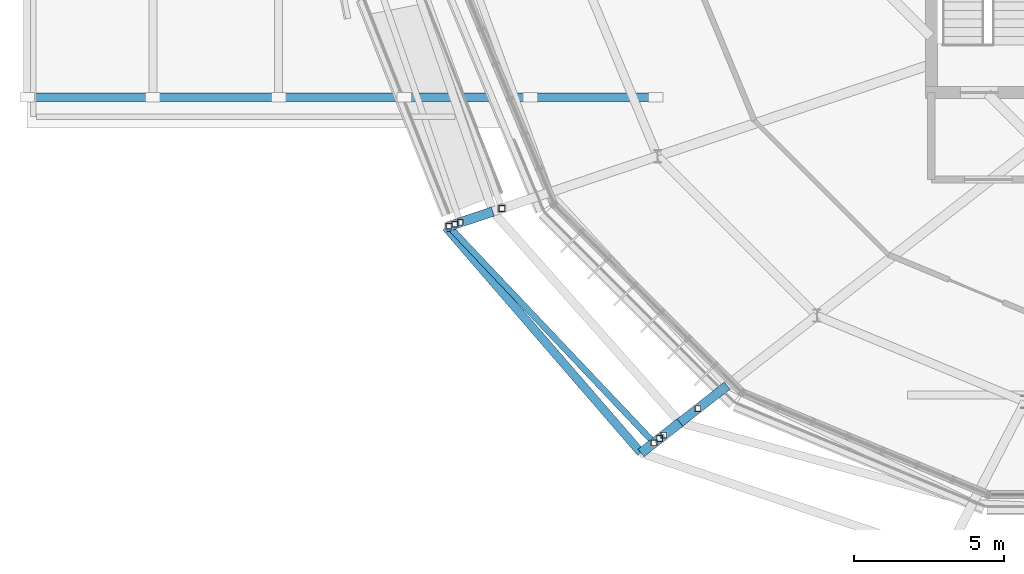
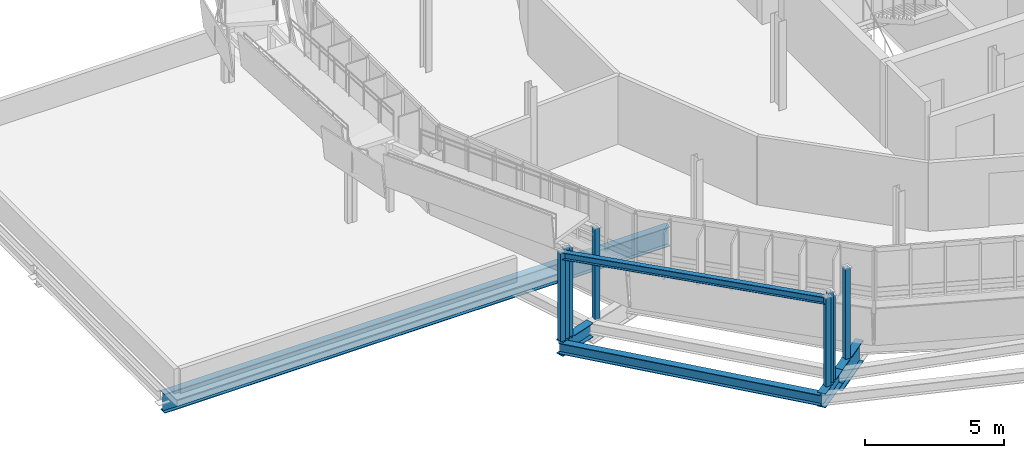
# One storey, part 8 of 61: 8 members, 6 beams.
"""IFC4 building model written with IfcOpenShell, lengths in metres."""

import ifcopenshell
import ifcopenshell.guid

model = None  # the IFC model being written
_history = None  # IfcOwnerHistory: only IFC2X3 demands one
_inside = {}  # id of a spatial element -> (the spatial element, [elements in it])
_under = {}  # id of a project, library or spatial element -> (it, [spatial elements below it])
_declared = {}  # id of a project -> (the project, [libraries it declares])
_typed = {}  # id of a type object -> (the type object, [elements of that type])
_made_of = {}  # id of a material, layer set ... -> (it, [elements and type objects made of it])


def new_model(schema):
    """Start an empty IFC model of exactly this schema.

    Asked for "IFC4X3", IfcOpenShell would pick the latest addendum, in which some entities
    have other attributes; the version numbers below select the first issue.
    IFC2X3 requires an IfcOwnerHistory on every rooted entity: one is made here for all.
    """
    global model, _history
    if schema == "IFC4X3":
        model = ifcopenshell.file(schema_version=(4, 3, 0, 0))
    else:
        model = ifcopenshell.file(schema=schema)
    _inside.clear()
    _under.clear()
    _declared.clear()
    _typed.clear()
    _made_of.clear()
    _history = None
    if model.schema == "IFC2X3":
        org = make("IfcOrganization", Name="unknown")
        user = make(
            "IfcPersonAndOrganization",
            ThePerson=make("IfcPerson", FamilyName="unknown"),
            TheOrganization=org,
        )
        app = make(
            "IfcApplication",
            ApplicationDeveloper=org,
            Version="unknown",
            ApplicationFullName="unknown",
            ApplicationIdentifier="unknown",
        )
        _history = make(
            "IfcOwnerHistory",
            OwningUser=user,
            OwningApplication=app,
            ChangeAction="ADDED",
            CreationDate=0,
        )
    return model


def make(cls, **values):
    """One entity of the class cls with the attributes given. An attribute that is None is left unset."""
    return model.create_entity(
        cls, **{name: value for name, value in values.items() if value is not None}
    )


def rooted(cls, **values):
    """An entity with a GlobalId (a new one), such as an element, a storey or a relation."""
    return make(cls, GlobalId=ifcopenshell.guid.new(), OwnerHistory=_history, **values)


def si_unit(unit_type, name, prefix=None):
    """IfcSIUnit, for example si_unit("LENGTHUNIT", "METRE", prefix="MILLI")."""
    return make("IfcSIUnit", UnitType=unit_type, Prefix=prefix, Name=name)


def derived_unit(unit_type, elements):
    """IfcDerivedUnit: a product of units, each with its exponent."""
    return make(
        "IfcDerivedUnit",
        Elements=[
            make("IfcDerivedUnitElement", Unit=unit, Exponent=power)
            for unit, power in elements
        ],
        UnitType=unit_type,
    )


def assignment(units):
    """IfcUnitAssignment: the units of a project."""
    return None if units is None else make("IfcUnitAssignment", Units=units)


def point(xyz):
    """IfcCartesianPoint."""
    return None if xyz is None else make("IfcCartesianPoint", Coordinates=xyz)


def direction(xyz):
    """IfcDirection."""
    return None if xyz is None else make("IfcDirection", DirectionRatios=xyz)


def frame(location, z_axis=None, x_axis=None):
    """IfcAxis2Placement3D, a coordinate frame: its origin and axes. An axis left out is left unset."""
    return make(
        "IfcAxis2Placement3D",
        Location=point(location),
        Axis=direction(z_axis),
        RefDirection=direction(x_axis),
    )


def frame_2d(location, x_axis=None):
    """IfcAxis2Placement2D, a coordinate frame in the plane: its origin and x axis."""
    return make(
        "IfcAxis2Placement2D", Location=point(location), RefDirection=direction(x_axis)
    )


def origin():
    """The frame at (0, 0, 0) with its axes left unset."""
    return frame((0.0, 0.0, 0.0))


def origin_2d():
    """The frame at (0, 0) in the plane with its x axis left unset."""
    return frame_2d((0.0, 0.0))


def place(relative_to, where):
    """IfcLocalPlacement: puts the frame where relative to a parent placement (None: the world)."""
    return make(
        "IfcLocalPlacement", PlacementRelTo=relative_to, RelativePlacement=where
    )


def context(
    kind, dimensions, precision=None, world=None, true_north=None, identifier=None
):
    """IfcGeometricRepresentationContext, for example the 3D "Model" context."""
    return make(
        "IfcGeometricRepresentationContext",
        ContextIdentifier=identifier,
        ContextType=kind,
        CoordinateSpaceDimension=dimensions,
        Precision=precision,
        WorldCoordinateSystem=world,
        TrueNorth=true_north,
    )


def subcontext(parent, identifier, kind, view, scale=None):
    """IfcGeometricRepresentationSubContext, for example "Body" below "Model"."""
    return make(
        "IfcGeometricRepresentationSubContext",
        ContextIdentifier=identifier,
        ContextType=kind,
        ParentContext=parent,
        TargetScale=scale,
        TargetView=view,
    )


def project(units=None, contexts=None):
    """IfcProject with its units and contexts."""
    return rooted(
        "IfcProject",
        Name="project",
        RepresentationContexts=contexts,
        UnitsInContext=assignment(units),
    )


def spatial(cls, under=None, at=None, **own):
    """A site, building, storey or space (cls), placed at a placement, below another one or the project."""
    s = rooted(cls, ObjectPlacement=at, **own)
    if under is not None:
        _under.setdefault(under.id(), (under, []))[1].append(s)
    return s


def profile(cls, at=None, kind="AREA", **sizes):
    """A parametric profile (cls). Its sizes go by their IFC names, for example OverallWidth=200.0."""
    return make(cls, ProfileType=kind, Position=at, **sizes)


def hollow_rectangle(**sizes):
    """IfcRectangleHollowProfileDef."""
    return profile("IfcRectangleHollowProfileDef", **sizes)


def i_section(**sizes):
    """IfcIShapeProfileDef."""
    return profile("IfcIShapeProfileDef", **sizes)


def extrude(swept, where, along, depth):
    """IfcExtrudedAreaSolid: the profile swept, set in the frame where, extruded along a direction by depth."""
    return make(
        "IfcExtrudedAreaSolid",
        SweptArea=swept,
        Position=where,
        ExtrudedDirection=direction(along),
        Depth=depth,
    )


def shape(context_of_items, identifier, shape_type, items):
    """IfcShapeRepresentation: the items that make up one representation, for example the "Body"."""
    return make(
        "IfcShapeRepresentation",
        ContextOfItems=context_of_items,
        RepresentationIdentifier=identifier,
        RepresentationType=shape_type,
        Items=items,
    )


def material(Name=None, Category=None):
    """IfcMaterial."""
    return make("IfcMaterial", Name=Name, Category=Category)


def material_profile(
    of_material, cross_section, Name=None, Category=None, Priority=None
):
    """IfcMaterialProfile: a cross section and its material."""
    return make(
        "IfcMaterialProfile",
        Name=Name,
        Material=of_material,
        Profile=cross_section,
        Priority=Priority,
        Category=Category,
    )


def profile_set(profiles, Name=None, composite=None):
    """IfcMaterialProfileSet."""
    return make(
        "IfcMaterialProfileSet",
        Name=Name,
        MaterialProfiles=profiles,
        CompositeProfile=composite,
    )


def made_of(thing, what):
    """Note that an element or type object is made of a material, layer set ...; save() writes the relation."""
    if what is not None:
        _made_of.setdefault(what.id(), (what, []))[1].append(thing)
    return thing


def type_object(cls, material=None, **own):
    """A type object (cls), such as IfcWallType, which elements share."""
    return made_of(rooted(cls, **own), material)


def element(
    cls,
    number,
    at=None,
    inside=None,
    cuts=None,
    type_object=None,
    material=None,
    context=None,
    identifier="Body",
    shape_type=None,
    held_by="IfcProductDefinitionShape",
    body=None,
    shapes=None,
    **own,
):
    """One element of the class cls, such as IfcWall. Its Tag is "e" and its number.

    at: its placement. inside: the storey or other place that contains it. cuts: it is an
    opening in that element (IfcRelVoidsElement). A single representation is given by context,
    identifier, shape_type and body (its items); several are given by shapes. held_by: the class
    of the entity that holds the representations. save() writes the other relations.
    """
    e = rooted(cls, Tag="e%d" % number, ObjectPlacement=at, **own)
    if body is not None:
        shapes = [shape(context, identifier, shape_type, body)]
    if shapes is not None:
        e.Representation = make(held_by, Representations=shapes)
    if inside is not None:
        _inside.setdefault(inside.id(), (inside, []))[1].append(e)
    if cuts is not None:
        rooted(
            "IfcRelVoidsElement", RelatingBuildingElement=cuts, RelatedOpeningElement=e
        )
    if type_object is not None:
        _typed.setdefault(type_object.id(), (type_object, []))[1].append(e)
    return made_of(e, material)


def aggregate(whole, parts):
    """IfcRelAggregates: a whole, such as a stair, and the parts it consists of."""
    return rooted("IfcRelAggregates", RelatingObject=whole, RelatedObjects=parts)


def save(model, path):
    """Write the relations noted so far, then the file.

    IfcRelAggregates (storeys below a building ...), IfcRelContainedInSpatialStructure (elements
    in a storey), IfcRelDefinesByType, IfcRelAssociatesMaterial and IfcRelDeclares: one each for
    every whole, place, type object, material and project.
    """
    for whole, parts in _under.values():
        aggregate(whole, parts)
    for where, things in _inside.values():
        rooted(
            "IfcRelContainedInSpatialStructure",
            RelatedElements=things,
            RelatingStructure=where,
        )
    for kind, things in _typed.values():
        rooted("IfcRelDefinesByType", RelatedObjects=things, RelatingType=kind)
    for what, things in _made_of.values():
        rooted("IfcRelAssociatesMaterial", RelatedObjects=things, RelatingMaterial=what)
    for by, libraries in _declared.values():
        rooted("IfcRelDeclares", RelatingContext=by, RelatedDefinitions=libraries)
    model.write(path)


model = new_model("IFC4")

# Units and contexts
model_context = context("Model", 3, precision=1e-05, world=origin(), true_north=direction((0.0, 1.0)))
body_context = subcontext(model_context, "Body", "Model", "MODEL_VIEW")
ifc_project = project(units=[si_unit("LENGTHUNIT", "METRE"), si_unit("AREAUNIT", "SQUARE_METRE"), si_unit("VOLUMEUNIT", "CUBIC_METRE"), si_unit("PLANEANGLEUNIT", "RADIAN"), si_unit("MASSUNIT", "GRAM", prefix="KILO"), derived_unit("THERMALTRANSMITTANCEUNIT", [(si_unit("MASSUNIT", "GRAM", prefix="KILO"), 1), (si_unit("TIMEUNIT", "SECOND"), -3), (si_unit("THERMODYNAMICTEMPERATUREUNIT", "KELVIN"), -1)])], contexts=[model_context])

# Site, building, storey
site_placement = place(None, origin())
site = spatial("IfcSite", under=ifc_project, at=site_placement, CompositionType="ELEMENT")
building_placement = place(site_placement, origin())
building = spatial("IfcBuilding", under=site, at=building_placement, Name="Makaiwela Harbour Ferry Terminal", CompositionType="ELEMENT")
storey_placement = place(building_placement, frame((0.0, 0.0, 13.800048828125)))
storey = spatial("IfcBuildingStorey", under=building, at=storey_placement, Name="L03", CompositionType="ELEMENT", Elevation=13.800048828125)

# Beams
ifc_material_1 = material(Name="Steel ASTM A992 Grade 50", Category="steel")
ifc_material_profile_1 = material_profile(ifc_material_1, i_section(OverallWidth=0.324951171875, OverallDepth=0.615966796875, WebThickness=0.013916015625, FlangeThickness=0.021484375, at=origin_2d()), Name="W24X117")
ifc_profile_set_1 = profile_set([ifc_material_profile_1], Name="Steel ASTM A992 Grade 50")
beam_type_1 = type_object("IfcBeamType", Name="STR-GRD-W24X117", PredefinedType="USERDEFINED", material=ifc_profile_set_1)
for number, where, z_axis, x_axis, name in (
    (1, (15.55419921875, 55.531494140625, -0.56298828125), (-0.948000469723, -0.318268926233, 0.0), (0.318268926233, -0.948000469723, 0.0), "Promenade terrace bracket 308"),
    (2, (21.806884765625, 48.48193359375, -0.56298828125), (-0.788091669189, -0.615557894072, 0.0), (0.615557894072, -0.788091669189, 0.0), "Promenade terrace bracket 312"),
):
    element("IfcBeam", number, at=place(storey_placement, frame(where, z_axis=z_axis, x_axis=x_axis)), inside=storey, type_object=beam_type_1, Name=name, ObjectType="GIRDER", PredefinedType="USERDEFINED", context=body_context, shape_type="SweptSolid", body=[
        extrude(i_section(OverallWidth=0.324951171875, OverallDepth=0.615966796875, WebThickness=0.013916015625, FlangeThickness=0.021484375, at=origin_2d()), origin(), (0.0, 0.0, 1.0), 1.64990234375),
    ])
ifc_material_profile_2 = material_profile(ifc_material_1, i_section(OverallWidth=0.2939453125, OverallDepth=0.85107421875, WebThickness=0.01611328125, FlangeThickness=0.02685546875, at=origin_2d()), Name="W33X152")
ifc_profile_set_2 = profile_set([ifc_material_profile_2], Name="Steel ASTM A992 Grade 50")
beam_type_2 = type_object("IfcBeamType", Name="STR-GRD-W33X152", PredefinedType="USERDEFINED", material=ifc_profile_set_2)
beam_1_placement = place(storey_placement, frame((0.0, 59.35009765625, -0.66552734375), z_axis=(1.0, 0.0, 0.0), x_axis=(0.0, 1.0, 0.0)))
element("IfcBeam", 3, at=beam_1_placement, inside=storey, type_object=beam_type_2, Name="West bridge truss top chord 1", ObjectType="GIRDER", PredefinedType="USERDEFINED", context=body_context, shape_type="SweptSolid", body=[
    extrude(i_section(OverallWidth=0.2939453125, OverallDepth=0.85107421875, WebThickness=0.01611328125, FlangeThickness=0.02685546875, at=origin_2d()), origin(), (0.0, 0.0, 1.0), 21.0),
])
ifc_material_profile_3 = material_profile(ifc_material_1, i_section(OverallWidth=0.31005859375, OverallDepth=0.949951171875, WebThickness=0.0244140625, FlangeThickness=0.0439453125, at=origin_2d()), Name="W36X256")
ifc_profile_set_3 = profile_set([ifc_material_profile_3], Name="Steel ASTM A992 Grade 50")
beam_type_3 = type_object("IfcBeamType", Name="STR-GRD-W36X256", PredefinedType="USERDEFINED", material=ifc_profile_set_3)
beam_2_placement = place(storey_placement, frame((23.3828125, 49.71337890625, -0.72998046875), z_axis=(-0.787963297722, -0.615722211264, 0.0), x_axis=(0.615722211264, -0.787963297722, 0.0)))
element("IfcBeam", 4, at=beam_2_placement, inside=storey, type_object=beam_type_3, Name="Drum overhang radial girder 311", ObjectType="GIRDER", PredefinedType="USERDEFINED", context=body_context, shape_type="SweptSolid", body=[
    extrude(i_section(OverallWidth=0.31005859375, OverallDepth=0.949951171875, WebThickness=0.0244140625, FlangeThickness=0.0439453125, at=origin_2d()), origin(), (0.0, 0.0, 1.0), 2.0),
])
ifc_material_profile_4 = material_profile(ifc_material_1, i_section(OverallWidth=0.205078125, OverallDepth=0.31005859375, WebThickness=0.009521484375, FlangeThickness=0.016357421875, at=origin_2d()), Name="W12X50")
ifc_profile_set_4 = profile_set([ifc_material_profile_4], Name="Steel ASTM A992 Grade 50")
beam_type_4 = type_object("IfcBeamType", Name="STR-LNT-W12X50", PredefinedType="LINTEL", material=ifc_profile_set_4)
beam_3_placement = place(storey_placement, frame((14.084716796875, 55.0380859375, 3.487060546875), z_axis=(0.687815314308, -0.725885730266, 0.0), x_axis=(0.725885730266, 0.687815314308, 0.0)))
element("IfcBeam", 5, at=beam_3_placement, inside=storey, type_object=beam_type_4, Name="Ramp Balcony Edge Beam L04-OUT", PredefinedType="LINTEL", context=body_context, shape_type="SweptSolid", body=[
    extrude(i_section(OverallWidth=0.205078125, OverallDepth=0.31005859375, WebThickness=0.009521484375, FlangeThickness=0.016357421875, at=origin_2d()), origin(), (0.0, 0.0, 1.0), 9.965576171875),
])

# Members
ifc_material_2 = material(Name="Steel ASTM A500 Grade C", Category="steel")
ifc_material_profile_5 = material_profile(ifc_material_2, hollow_rectangle(XDim=0.202880859375, YDim=0.202880859375, WallThickness=0.01171875, at=origin_2d()), Name="HSS8X8X1/2")
ifc_profile_set_5 = profile_set([ifc_material_profile_5], Name="Steel ASTM A500 Grade C")
member_type = type_object("IfcMemberType", Name="STR-PST-HSS8", PredefinedType="POST", material=ifc_profile_set_5)
member_1_placement = place(storey_placement, frame((14.084716796875, 55.0380859375, -0.275146484375), z_axis=(0.0, 0.0, 1.0), x_axis=(1.0, 0.0, 0.0)))
element("IfcMember", 6, at=member_1_placement, inside=storey, type_object=member_type, Name="Exterior Ramp Support Post RP-0007", PredefinedType="POST", context=body_context, shape_type="SweptSolid", body=[
    extrude(hollow_rectangle(XDim=0.202880859375, YDim=0.202880859375, WallThickness=0.01171875, at=origin_2d()), origin(), (0.0, 0.0, 1.0), 3.925048828125),
])
member_2_placement = place(storey_placement, frame((14.29150390625, 55.107666015625, -0.275146484375), z_axis=(0.0, 0.0, 1.0), x_axis=(1.0, 0.0, 0.0)))
element("IfcMember", 7, at=member_2_placement, inside=storey, type_object=member_type, Name="Exterior Ramp Support Post RP-0008", PredefinedType="POST", context=body_context, shape_type="SweptSolid", body=[
    extrude(hollow_rectangle(XDim=0.202880859375, YDim=0.202880859375, WallThickness=0.01171875, at=origin_2d()), origin(), (0.0, 0.0, 1.0), 4.0),
])
member_3_placement = place(storey_placement, frame((14.46484375, 55.165771484375, -0.275146484375), z_axis=(0.0, 0.0, 1.0), x_axis=(1.0, 0.0, 0.0)))
element("IfcMember", 8, at=member_3_placement, inside=storey, type_object=member_type, Name="Exterior Ramp Support Post RP-0009", PredefinedType="POST", context=body_context, shape_type="SweptSolid", body=[
    extrude(hollow_rectangle(XDim=0.202880859375, YDim=0.202880859375, WallThickness=0.01171875, at=origin_2d()), origin(), (0.0, 0.0, 1.0), 3.9169921875),
])
member_4_placement = place(storey_placement, frame((15.855712890625, 55.6328125, -0.275146484375), z_axis=(0.0, 0.0, 1.0), x_axis=(1.0, 0.0, 0.0)))
element("IfcMember", 9, at=member_4_placement, inside=storey, type_object=member_type, Name="Exterior Ramp Support Post RP-0014", PredefinedType="POST", context=body_context, shape_type="SweptSolid", body=[
    extrude(hollow_rectangle(XDim=0.202880859375, YDim=0.202880859375, WallThickness=0.01171875, at=origin_2d()), origin(), (0.0, 0.0, 1.0), 4.0),
])
member_5_placement = place(storey_placement, frame((20.939208984375, 47.80419921875, -0.275146484375), z_axis=(0.0, 0.0, 1.0), x_axis=(1.0, 0.0, 0.0)))
element("IfcMember", 10, at=member_5_placement, inside=storey, type_object=member_type, Name="Exterior Ramp Support Post RP-0034", PredefinedType="POST", context=body_context, shape_type="SweptSolid", body=[
    extrude(hollow_rectangle(XDim=0.202880859375, YDim=0.202880859375, WallThickness=0.01171875, at=origin_2d()), origin(), (0.0, 0.0, 1.0), 3.925048828125),
])
member_6_placement = place(storey_placement, frame((21.1259765625, 47.9501953125, -0.275146484375), z_axis=(0.0, 0.0, 1.0), x_axis=(1.0, 0.0, 0.0)))
element("IfcMember", 11, at=member_6_placement, inside=storey, type_object=member_type, Name="Exterior Ramp Support Post RP-0035", PredefinedType="POST", context=body_context, shape_type="SweptSolid", body=[
    extrude(hollow_rectangle(XDim=0.202880859375, YDim=0.202880859375, WallThickness=0.01171875, at=origin_2d()), origin(), (0.0, 0.0, 1.0), 4.0),
])
member_7_placement = place(storey_placement, frame((21.2685546875, 48.0615234375, -0.275146484375), z_axis=(0.0, 0.0, 1.0), x_axis=(1.0, 0.0, 0.0)))
element("IfcMember", 12, at=member_7_placement, inside=storey, type_object=member_type, Name="Exterior Ramp Support Post RP-0036", PredefinedType="POST", context=body_context, shape_type="SweptSolid", body=[
    extrude(hollow_rectangle(XDim=0.202880859375, YDim=0.202880859375, WallThickness=0.01171875, at=origin_2d()), origin(), (0.0, 0.0, 1.0), 3.7294921875),
])
member_8_placement = place(storey_placement, frame((22.40576171875, 48.949951171875, -0.275146484375), z_axis=(0.0, 0.0, 1.0), x_axis=(1.0, 0.0, 0.0)))
element("IfcMember", 13, at=member_8_placement, inside=storey, type_object=member_type, Name="Exterior Ramp Support Post RP-0037", PredefinedType="POST", context=body_context, shape_type="SweptSolid", body=[
    extrude(hollow_rectangle(XDim=0.202880859375, YDim=0.202880859375, WallThickness=0.01171875, at=origin_2d()), origin(), (0.0, 0.0, 1.0), 4.0),
])

# Beam
ifc_material_profile_6 = material_profile(ifc_material_1, i_section(OverallWidth=0.283935546875, OverallDepth=0.47607421875, WebThickness=0.014892578125, FlangeThickness=0.02392578125, at=origin_2d()), Name="W18X106")
ifc_profile_set_6 = profile_set([ifc_material_profile_6], Name="Steel ASTM A992 Grade 50")
beam_type_5 = type_object("IfcBeamType", Name="STR-SPN-W18X106", PredefinedType="SPANDREL", material=ifc_profile_set_6)
beam_4_placement = place(storey_placement, frame((13.989990234375, 55.00634765625, -0.4931640625), z_axis=(0.653892810567, -0.756587200717, 0.0), x_axis=(0.756587200717, 0.653892810567, 0.0)))
element("IfcBeam", 14, at=beam_4_placement, inside=storey, type_object=beam_type_5, Name="Drum perimeter spandrel 361", PredefinedType="SPANDREL", context=body_context, shape_type="SweptSolid", body=[
    extrude(i_section(OverallWidth=0.283935546875, OverallDepth=0.47607421875, WebThickness=0.014892578125, FlangeThickness=0.02392578125, at=origin_2d()), origin(), (0.0, 0.0, 1.0), 9.9658203125),
])

save(model, "model.ifc")
